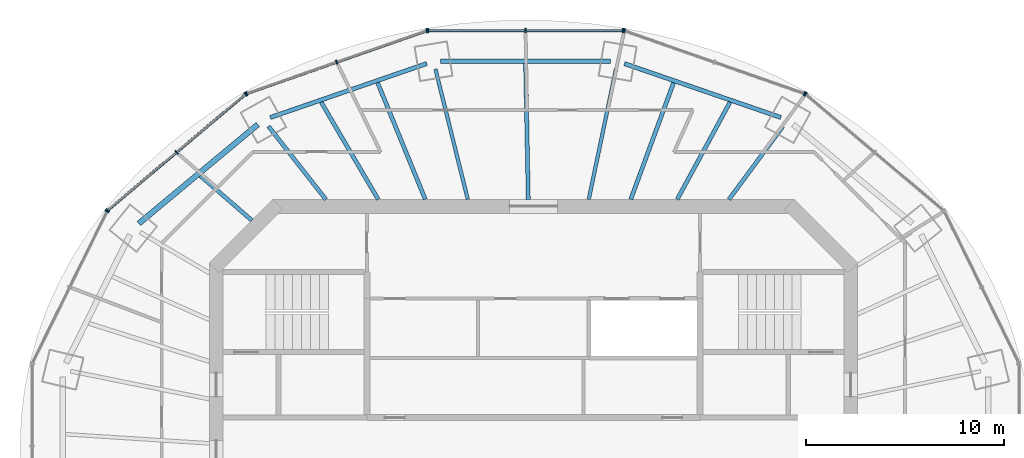
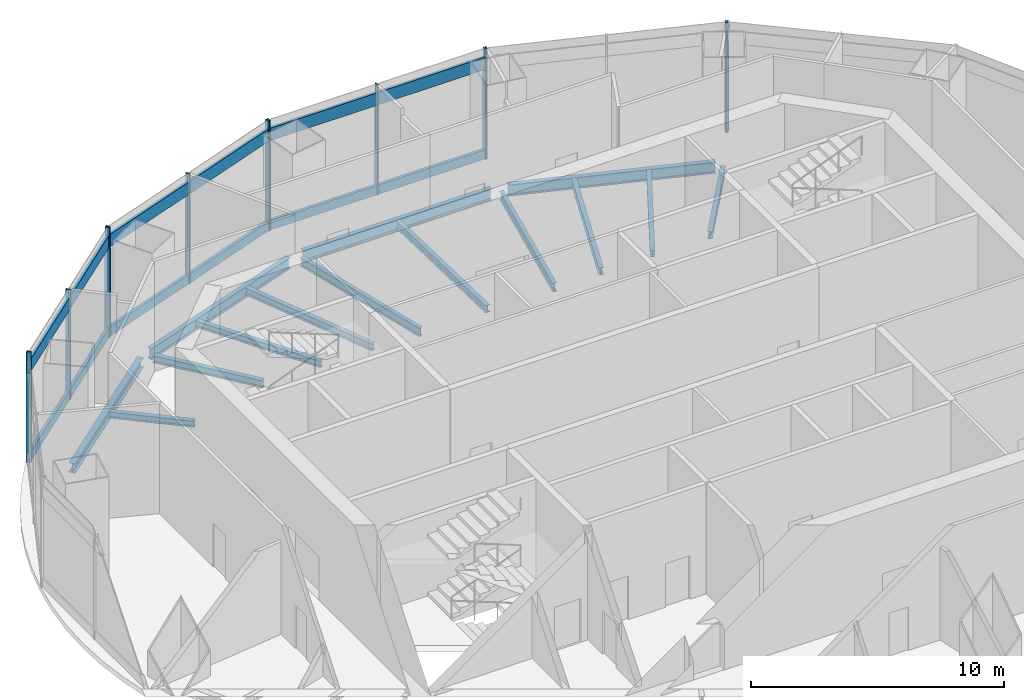
# One storey, part 5 of 13: 32 members, 14 beams, 12 elements without a shape of their own.
"""IFC4 building model written with IfcOpenShell, lengths in metres."""

from ifc_helpers import new_model, si_unit, direction, frame, origin, origin_2d, place, context, subcontext, project, spatial, rectangle, i_section, extrude, material, material_profile, profile_set, type_object, element, aggregate, save


model = new_model("IFC4")

# Units and contexts
model_context = context("Model", 3, precision=1e-05, world=origin(), true_north=direction((0.0, 1.0)))
body_context = subcontext(model_context, "Body", "Model", "MODEL_VIEW")
ifc_project = project(units=[si_unit("LENGTHUNIT", "METRE"), si_unit("AREAUNIT", "SQUARE_METRE"), si_unit("VOLUMEUNIT", "CUBIC_METRE"), si_unit("PLANEANGLEUNIT", "RADIAN"), si_unit("MASSUNIT", "GRAM", prefix="KILO")], contexts=[model_context])

# Site, building, storey
site_placement = place(None, origin())
site = spatial("IfcSite", under=ifc_project, at=site_placement, CompositionType="ELEMENT")
building_placement = place(site_placement, origin())
building = spatial("IfcBuilding", under=site, at=building_placement, Name="Marenthal Gate Tower", CompositionType="ELEMENT")
storey_placement = place(building_placement, frame((0.0, 0.0, 401.949951171875)))
storey = spatial("IfcBuildingStorey", under=building, at=storey_placement, Name="L91", CompositionType="ELEMENT", Elevation=401.949951171875)

# Curtain wall, member
ifc_material_1 = material(Name="Aluminium and glass", Category="aluminium")
curtain_wall_type_1 = type_object("IfcCurtainWallType", Name="Curtain wall crown clad", PredefinedType="NOTDEFINED", material=ifc_material_1)
curtain_wall_1_placement = place(storey_placement, origin())
curtain_wall_1 = element("IfcCurtainWall", 1, at=curtain_wall_1_placement, inside=storey, type_object=curtain_wall_type_1, Name="Curtain wall L91 bay 2 head band", PredefinedType="NOTDEFINED")
ifc_material_2 = material(Name="Aluminium", Category="aluminium")
ifc_material_profile_1 = material_profile(ifc_material_2, rectangle(XDim=0.199951171875, YDim=0.06005859375, at=origin_2d()), Name="60x200 aluminium mullion")
ifc_profile_set_1 = profile_set([ifc_material_profile_1], Name="Aluminium")
member_type_1 = type_object("IfcMemberType", Name="Mullion 60x200 crown clad", PredefinedType="MULLION", material=ifc_profile_set_1)
member_1_placement = place(storey_placement, frame((13.723388671875, 18.657470703125, 4.300048828125), z_axis=(0.0, 0.0, 1.0), x_axis=(-0.644265226944, -0.764802142616, 0.0)))
member_1 = element("IfcMember", 2, at=member_1_placement, type_object=member_type_1, Name="Mullion L91 bay 2.3", PredefinedType="MULLION", context=body_context, shape_type="SweptSolid", body=[
    extrude(rectangle(XDim=0.199951171875, YDim=0.06005859375, at=origin_2d()), origin(), (0.0, 0.0, 1.0), 1.0),
])
aggregate(curtain_wall_1, [member_1])

# Curtain wall, members
curtain_wall_2_placement = place(storey_placement, origin())
curtain_wall_2 = element("IfcCurtainWall", 3, at=curtain_wall_2_placement, inside=storey, type_object=curtain_wall_type_1, Name="Curtain wall L91 bay 3 head band", PredefinedType="NOTDEFINED")
member_2_placement = place(storey_placement, frame((13.672119140625, 18.686767578125, 4.300048828125), z_axis=(0.0, 0.0, 1.0), x_axis=(-0.329453888639, -0.944171666203, 0.0)))
member_2 = element("IfcMember", 4, at=member_2_placement, type_object=member_type_1, Name="Mullion L91 bay 3.1", PredefinedType="MULLION", context=body_context, shape_type="SweptSolid", body=[
    extrude(rectangle(XDim=0.199951171875, YDim=0.06005859375, at=origin_2d()), origin(), (0.0, 0.0, 1.0), 1.0),
])
member_3_placement = place(storey_placement, frame((4.57958984375, 21.859375, 4.300048828125), z_axis=(0.0, 0.0, 1.0), x_axis=(-0.329453888639, -0.944171666203, 0.0)))
member_3 = element("IfcMember", 5, at=member_3_placement, type_object=member_type_1, Name="Mullion L91 bay 3.3", PredefinedType="MULLION", context=body_context, shape_type="SweptSolid", body=[
    extrude(rectangle(XDim=0.199951171875, YDim=0.06005859375, at=origin_2d()), origin(), (0.0, 0.0, 1.0), 1.0),
])
aggregate(curtain_wall_2, [member_2, member_3])

curtain_wall_3_placement = place(storey_placement, origin())
curtain_wall_3 = element("IfcCurtainWall", 6, at=curtain_wall_3_placement, inside=storey, type_object=curtain_wall_type_1, Name="Curtain wall L91 bay 4 head band", PredefinedType="NOTDEFINED")
member_4_placement = place(storey_placement, frame((4.521484375, 21.869140625, 4.300048828125), z_axis=(0.0, 0.0, 1.0), x_axis=(0.0, -1.0, 0.0)))
member_4 = element("IfcMember", 7, at=member_4_placement, type_object=member_type_1, Name="Mullion L91 bay 4.1", PredefinedType="MULLION", context=body_context, shape_type="SweptSolid", body=[
    extrude(rectangle(XDim=0.199951171875, YDim=0.06005859375, at=origin_2d()), origin(), (0.0, 0.0, 1.0), 1.0),
])
member_5_placement = place(storey_placement, frame((-0.39990234375, 21.869140625, 4.300048828125), z_axis=(0.0, 0.0, 1.0), x_axis=(0.0, -1.0, 0.0)))
member_5 = element("IfcMember", 8, at=member_5_placement, type_object=member_type_1, Name="Mullion L91 bay 4.2", PredefinedType="MULLION", context=body_context, shape_type="SweptSolid", body=[
    extrude(rectangle(XDim=0.199951171875, YDim=0.06005859375, at=origin_2d()), origin(), (0.0, 0.0, 1.0), 1.0),
])
member_6_placement = place(storey_placement, frame((-5.3212890625, 21.869140625, 4.300048828125), z_axis=(0.0, 0.0, 1.0), x_axis=(0.0, -1.0, 0.0)))
member_6 = element("IfcMember", 9, at=member_6_placement, type_object=member_type_1, Name="Mullion L91 bay 4.3", PredefinedType="MULLION", context=body_context, shape_type="SweptSolid", body=[
    extrude(rectangle(XDim=0.199951171875, YDim=0.06005859375, at=origin_2d()), origin(), (0.0, 0.0, 1.0), 1.0),
])

curtain_wall_4_placement = place(storey_placement, origin())
curtain_wall_4 = element("IfcCurtainWall", 10, at=curtain_wall_4_placement, inside=storey, type_object=curtain_wall_type_1, Name="Curtain wall L91 bay 5 head band", PredefinedType="NOTDEFINED")
member_7_placement = place(storey_placement, frame((-5.379638671875, 21.859375, 4.300048828125), z_axis=(0.0, 0.0, 1.0), x_axis=(0.329453888639, -0.944171666203, 0.0)))
member_7 = element("IfcMember", 11, at=member_7_placement, type_object=member_type_1, Name="Mullion L91 bay 5.1", PredefinedType="MULLION", context=body_context, shape_type="SweptSolid", body=[
    extrude(rectangle(XDim=0.199951171875, YDim=0.06005859375, at=origin_2d()), origin(), (0.0, 0.0, 1.0), 1.0),
])
member_8_placement = place(storey_placement, frame((-9.926025390625, 20.27294921875, 4.300048828125), z_axis=(0.0, 0.0, 1.0), x_axis=(0.329453888639, -0.944171666203, 0.0)))
member_8 = element("IfcMember", 12, at=member_8_placement, type_object=member_type_1, Name="Mullion L91 bay 5.2", PredefinedType="MULLION", context=body_context, shape_type="SweptSolid", body=[
    extrude(rectangle(XDim=0.199951171875, YDim=0.06005859375, at=origin_2d()), origin(), (0.0, 0.0, 1.0), 1.0),
])
member_9_placement = place(storey_placement, frame((-14.47216796875, 18.686767578125, 4.300048828125), z_axis=(0.0, 0.0, 1.0), x_axis=(0.329453888639, -0.944171666203, 0.0)))
member_9 = element("IfcMember", 13, at=member_9_placement, type_object=member_type_1, Name="Mullion L91 bay 5.3", PredefinedType="MULLION", context=body_context, shape_type="SweptSolid", body=[
    extrude(rectangle(XDim=0.199951171875, YDim=0.06005859375, at=origin_2d()), origin(), (0.0, 0.0, 1.0), 1.0),
])

curtain_wall_5_placement = place(storey_placement, origin())
curtain_wall_5 = element("IfcCurtainWall", 14, at=curtain_wall_5_placement, inside=storey, type_object=curtain_wall_type_1, Name="Curtain wall L91 bay 6 head band", PredefinedType="NOTDEFINED")
member_10_placement = place(storey_placement, frame((-14.5234375, 18.657470703125, 4.300048828125), z_axis=(0.0, 0.0, 1.0), x_axis=(0.644265226944, -0.764802142616, 0.0)))
member_10 = element("IfcMember", 15, at=member_10_placement, type_object=member_type_1, Name="Mullion L91 bay 6.1", PredefinedType="MULLION", context=body_context, shape_type="SweptSolid", body=[
    extrude(rectangle(XDim=0.199951171875, YDim=0.06005859375, at=origin_2d()), origin(), (0.0, 0.0, 1.0), 1.0),
])
member_11_placement = place(storey_placement, frame((-18.001708984375, 15.7275390625, 4.300048828125), z_axis=(0.0, 0.0, 1.0), x_axis=(0.644265226944, -0.764802142616, 0.0)))
member_11 = element("IfcMember", 16, at=member_11_placement, type_object=member_type_1, Name="Mullion L91 bay 6.2", PredefinedType="MULLION", context=body_context, shape_type="SweptSolid", body=[
    extrude(rectangle(XDim=0.199951171875, YDim=0.06005859375, at=origin_2d()), origin(), (0.0, 0.0, 1.0), 1.0),
])
member_12_placement = place(storey_placement, frame((-21.479736328125, 12.79736328125, 4.300048828125), z_axis=(0.0, 0.0, 1.0), x_axis=(0.644265226944, -0.764802142616, 0.0)))
member_12 = element("IfcMember", 17, at=member_12_placement, type_object=member_type_1, Name="Mullion L91 bay 6.3", PredefinedType="MULLION", context=body_context, shape_type="SweptSolid", body=[
    extrude(rectangle(XDim=0.199951171875, YDim=0.06005859375, at=origin_2d()), origin(), (0.0, 0.0, 1.0), 1.0),
])

# Curtain wall, member
curtain_wall_6_placement = place(storey_placement, origin())
curtain_wall_6 = element("IfcCurtainWall", 18, at=curtain_wall_6_placement, inside=storey, type_object=curtain_wall_type_1, Name="Curtain wall L91 bay 7 head band", PredefinedType="NOTDEFINED")
member_13_placement = place(storey_placement, frame((-21.515869140625, 12.751220703125, 4.300048828125), z_axis=(0.0, 0.0, 1.0), x_axis=(0.897385793576, -0.441246798842, 0.0)))
member_13 = element("IfcMember", 19, at=member_13_placement, type_object=member_type_1, Name="Mullion L91 bay 7.1", PredefinedType="MULLION", context=body_context, shape_type="SweptSolid", body=[
    extrude(rectangle(XDim=0.199951171875, YDim=0.06005859375, at=origin_2d()), origin(), (0.0, 0.0, 1.0), 1.0),
])
aggregate(curtain_wall_6, [member_13])

ifc_material_3 = material(Name="Aluminium and glass", Category="aluminium")
curtain_wall_type_2 = type_object("IfcCurtainWallType", Name="Curtain wall observation", PredefinedType="NOTDEFINED", material=ifc_material_3)
curtain_wall_7_placement = place(storey_placement, origin())
curtain_wall_7 = element("IfcCurtainWall", 20, at=curtain_wall_7_placement, inside=storey, type_object=curtain_wall_type_2, Name="Curtain wall L91 bay 2", PredefinedType="NOTDEFINED")
ifc_material_4 = material(Name="Aluminium", Category="aluminium")
ifc_material_profile_2 = material_profile(ifc_material_4, rectangle(XDim=0.219970703125, YDim=0.070068359375, at=origin_2d()), Name="70x220 aluminium mullion")
ifc_profile_set_2 = profile_set([ifc_material_profile_2], Name="Aluminium")
member_type_2 = type_object("IfcMemberType", Name="Mullion 70x220 observation", PredefinedType="MULLION", material=ifc_profile_set_2)
member_14_placement = place(storey_placement, frame((13.723388671875, 18.657470703125, 0.0), z_axis=(0.0, 0.0, 1.0), x_axis=(-0.644265226944, -0.764802142616, 0.0)))
member_14 = element("IfcMember", 21, at=member_14_placement, type_object=member_type_2, Name="Mullion L91 bay 2.3", PredefinedType="MULLION", context=body_context, shape_type="SweptSolid", body=[
    extrude(rectangle(XDim=0.219970703125, YDim=0.070068359375, at=origin_2d()), origin(), (0.0, 0.0, 1.0), 4.300048828125),
])
aggregate(curtain_wall_7, [member_14])

# Curtain wall, members
curtain_wall_8_placement = place(storey_placement, origin())
curtain_wall_8 = element("IfcCurtainWall", 22, at=curtain_wall_8_placement, inside=storey, type_object=curtain_wall_type_2, Name="Curtain wall L91 bay 3", PredefinedType="NOTDEFINED")
member_15_placement = place(storey_placement, frame((13.672119140625, 18.686767578125, 0.0), z_axis=(0.0, 0.0, 1.0), x_axis=(-0.329453888639, -0.944171666203, 0.0)))
member_15 = element("IfcMember", 23, at=member_15_placement, type_object=member_type_2, Name="Mullion L91 bay 3.1", PredefinedType="MULLION", context=body_context, shape_type="SweptSolid", body=[
    extrude(rectangle(XDim=0.219970703125, YDim=0.070068359375, at=origin_2d()), origin(), (0.0, 0.0, 1.0), 4.300048828125),
])
member_16_placement = place(storey_placement, frame((4.57958984375, 21.859375, 0.0), z_axis=(0.0, 0.0, 1.0), x_axis=(-0.329453888639, -0.944171666203, 0.0)))
member_16 = element("IfcMember", 24, at=member_16_placement, type_object=member_type_2, Name="Mullion L91 bay 3.3", PredefinedType="MULLION", context=body_context, shape_type="SweptSolid", body=[
    extrude(rectangle(XDim=0.219970703125, YDim=0.070068359375, at=origin_2d()), origin(), (0.0, 0.0, 1.0), 4.300048828125),
])
aggregate(curtain_wall_8, [member_15, member_16])

curtain_wall_9_placement = place(storey_placement, origin())
curtain_wall_9 = element("IfcCurtainWall", 25, at=curtain_wall_9_placement, inside=storey, type_object=curtain_wall_type_2, Name="Curtain wall L91 bay 4", PredefinedType="NOTDEFINED")
member_17_placement = place(storey_placement, frame((4.521484375, 21.869140625, 0.0), z_axis=(0.0, 0.0, 1.0), x_axis=(0.0, -1.0, 0.0)))
member_17 = element("IfcMember", 26, at=member_17_placement, type_object=member_type_2, Name="Mullion L91 bay 4.1", PredefinedType="MULLION", context=body_context, shape_type="SweptSolid", body=[
    extrude(rectangle(XDim=0.219970703125, YDim=0.070068359375, at=origin_2d()), origin(), (0.0, 0.0, 1.0), 4.300048828125),
])
member_18_placement = place(storey_placement, frame((-0.39990234375, 21.869140625, 0.0), z_axis=(0.0, 0.0, 1.0), x_axis=(0.0, -1.0, 0.0)))
member_18 = element("IfcMember", 27, at=member_18_placement, type_object=member_type_2, Name="Mullion L91 bay 4.2", PredefinedType="MULLION", context=body_context, shape_type="SweptSolid", body=[
    extrude(rectangle(XDim=0.219970703125, YDim=0.070068359375, at=origin_2d()), origin(), (0.0, 0.0, 1.0), 4.300048828125),
])
member_19_placement = place(storey_placement, frame((-5.3212890625, 21.869140625, 0.0), z_axis=(0.0, 0.0, 1.0), x_axis=(0.0, -1.0, 0.0)))
member_19 = element("IfcMember", 28, at=member_19_placement, type_object=member_type_2, Name="Mullion L91 bay 4.3", PredefinedType="MULLION", context=body_context, shape_type="SweptSolid", body=[
    extrude(rectangle(XDim=0.219970703125, YDim=0.070068359375, at=origin_2d()), origin(), (0.0, 0.0, 1.0), 4.300048828125),
])

curtain_wall_10_placement = place(storey_placement, origin())
curtain_wall_10 = element("IfcCurtainWall", 29, at=curtain_wall_10_placement, inside=storey, type_object=curtain_wall_type_2, Name="Curtain wall L91 bay 5", PredefinedType="NOTDEFINED")
member_20_placement = place(storey_placement, frame((-5.379638671875, 21.859375, 0.0), z_axis=(0.0, 0.0, 1.0), x_axis=(0.329453888639, -0.944171666203, 0.0)))
member_20 = element("IfcMember", 30, at=member_20_placement, type_object=member_type_2, Name="Mullion L91 bay 5.1", PredefinedType="MULLION", context=body_context, shape_type="SweptSolid", body=[
    extrude(rectangle(XDim=0.219970703125, YDim=0.070068359375, at=origin_2d()), origin(), (0.0, 0.0, 1.0), 4.300048828125),
])
member_21_placement = place(storey_placement, frame((-9.926025390625, 20.27294921875, 0.0), z_axis=(0.0, 0.0, 1.0), x_axis=(0.329453888639, -0.944171666203, 0.0)))
member_21 = element("IfcMember", 31, at=member_21_placement, type_object=member_type_2, Name="Mullion L91 bay 5.2", PredefinedType="MULLION", context=body_context, shape_type="SweptSolid", body=[
    extrude(rectangle(XDim=0.219970703125, YDim=0.070068359375, at=origin_2d()), origin(), (0.0, 0.0, 1.0), 4.300048828125),
])
member_22_placement = place(storey_placement, frame((-14.47216796875, 18.686767578125, 0.0), z_axis=(0.0, 0.0, 1.0), x_axis=(0.329453888639, -0.944171666203, 0.0)))
member_22 = element("IfcMember", 32, at=member_22_placement, type_object=member_type_2, Name="Mullion L91 bay 5.3", PredefinedType="MULLION", context=body_context, shape_type="SweptSolid", body=[
    extrude(rectangle(XDim=0.219970703125, YDim=0.070068359375, at=origin_2d()), origin(), (0.0, 0.0, 1.0), 4.300048828125),
])

curtain_wall_11_placement = place(storey_placement, origin())
curtain_wall_11 = element("IfcCurtainWall", 33, at=curtain_wall_11_placement, inside=storey, type_object=curtain_wall_type_2, Name="Curtain wall L91 bay 6", PredefinedType="NOTDEFINED")
member_23_placement = place(storey_placement, frame((-14.5234375, 18.657470703125, 0.0), z_axis=(0.0, 0.0, 1.0), x_axis=(0.644265226944, -0.764802142616, 0.0)))
member_23 = element("IfcMember", 34, at=member_23_placement, type_object=member_type_2, Name="Mullion L91 bay 6.1", PredefinedType="MULLION", context=body_context, shape_type="SweptSolid", body=[
    extrude(rectangle(XDim=0.219970703125, YDim=0.070068359375, at=origin_2d()), origin(), (0.0, 0.0, 1.0), 4.300048828125),
])
member_24_placement = place(storey_placement, frame((-18.001708984375, 15.7275390625, 0.0), z_axis=(0.0, 0.0, 1.0), x_axis=(0.644265226944, -0.764802142616, 0.0)))
member_24 = element("IfcMember", 35, at=member_24_placement, type_object=member_type_2, Name="Mullion L91 bay 6.2", PredefinedType="MULLION", context=body_context, shape_type="SweptSolid", body=[
    extrude(rectangle(XDim=0.219970703125, YDim=0.070068359375, at=origin_2d()), origin(), (0.0, 0.0, 1.0), 4.300048828125),
])
member_25_placement = place(storey_placement, frame((-21.479736328125, 12.79736328125, 0.0), z_axis=(0.0, 0.0, 1.0), x_axis=(0.644265226944, -0.764802142616, 0.0)))
member_25 = element("IfcMember", 36, at=member_25_placement, type_object=member_type_2, Name="Mullion L91 bay 6.3", PredefinedType="MULLION", context=body_context, shape_type="SweptSolid", body=[
    extrude(rectangle(XDim=0.219970703125, YDim=0.070068359375, at=origin_2d()), origin(), (0.0, 0.0, 1.0), 4.300048828125),
])

# Curtain wall, member
curtain_wall_12_placement = place(storey_placement, origin())
curtain_wall_12 = element("IfcCurtainWall", 37, at=curtain_wall_12_placement, inside=storey, type_object=curtain_wall_type_2, Name="Curtain wall L91 bay 7", PredefinedType="NOTDEFINED")
member_26_placement = place(storey_placement, frame((-21.515869140625, 12.751220703125, 0.0), z_axis=(0.0, 0.0, 1.0), x_axis=(0.897385793576, -0.441246798842, 0.0)))
member_26 = element("IfcMember", 38, at=member_26_placement, type_object=member_type_2, Name="Mullion L91 bay 7.1", PredefinedType="MULLION", context=body_context, shape_type="SweptSolid", body=[
    extrude(rectangle(XDim=0.219970703125, YDim=0.070068359375, at=origin_2d()), origin(), (0.0, 0.0, 1.0), 4.300048828125),
])
aggregate(curtain_wall_12, [member_26])

# Member
ifc_material_5 = material(Name="Aluminium", Category="aluminium")
ifc_material_profile_3 = material_profile(ifc_material_5, rectangle(XDim=0.1201171875, YDim=0.60009765625, at=origin_2d()), Name="120x600 aluminium transom")
ifc_profile_set_3 = profile_set([ifc_material_profile_3], Name="Aluminium")
member_type_3 = type_object("IfcMemberType", Name="Transom 120x600 crown clad", PredefinedType="USERDEFINED", material=ifc_profile_set_3)
member_27_placement = place(storey_placement, frame((4.491455078125, 21.869140625, 4.60009765625), z_axis=(-1.0, 0.0, 0.0), x_axis=(0.0, -1.0, 0.0)))
member_27 = element("IfcMember", 39, at=member_27_placement, type_object=member_type_3, Name="Transom L91 bay 4", ObjectType="TRANSOM", PredefinedType="USERDEFINED", context=body_context, shape_type="SweptSolid", body=[
    extrude(rectangle(XDim=0.1201171875, YDim=0.60009765625, at=origin_2d()), origin(), (0.0, 0.0, 1.0), 9.782958984375),
])

aggregate(curtain_wall_3, [member_4, member_5, member_6, member_27])

member_28_placement = place(storey_placement, frame((-5.407958984375, 21.849365234375, 4.60009765625), z_axis=(-0.944174901713, -0.329444615945, 0.0), x_axis=(0.329444615945, -0.944174901713, 0.0)))
member_28 = element("IfcMember", 40, at=member_28_placement, type_object=member_type_3, Name="Transom L91 bay 5", ObjectType="TRANSOM", PredefinedType="USERDEFINED", context=body_context, shape_type="SweptSolid", body=[
    extrude(rectangle(XDim=0.1201171875, YDim=0.60009765625, at=origin_2d()), origin(), (0.0, 0.0, 1.0), 9.570068359375),
])

aggregate(curtain_wall_4, [member_7, member_8, member_9, member_28])

member_29_placement = place(storey_placement, frame((-14.54638671875, 18.63818359375, 4.60009765625), z_axis=(-0.764788567143, -0.644281341937, 0.0), x_axis=(0.644281341937, -0.764788567143, 0.0)))
member_29 = element("IfcMember", 41, at=member_29_placement, type_object=member_type_3, Name="Transom L91 bay 6", ObjectType="TRANSOM", PredefinedType="USERDEFINED", context=body_context, shape_type="SweptSolid", body=[
    extrude(rectangle(XDim=0.1201171875, YDim=0.60009765625, at=origin_2d()), origin(), (0.0, 0.0, 1.0), 9.03564453125),
])

aggregate(curtain_wall_5, [member_10, member_11, member_12, member_29])

ifc_material_6 = material(Name="Aluminium", Category="aluminium")
ifc_material_profile_4 = material_profile(ifc_material_6, rectangle(XDim=0.139892578125, YDim=0.449951171875, at=origin_2d()), Name="140x450 aluminium transom")
ifc_profile_set_4 = profile_set([ifc_material_profile_4], Name="Aluminium")
member_type_4 = type_object("IfcMemberType", Name="Transom 140x450 observation", PredefinedType="USERDEFINED", material=ifc_profile_set_4)
member_30_placement = place(storey_placement, frame((4.486328125, 21.869140625, 0.22509765625), z_axis=(-1.0, 0.0, 0.0), x_axis=(0.0, -1.0, 0.0)))
member_30 = element("IfcMember", 42, at=member_30_placement, type_object=member_type_4, Name="Transom L91 bay 4", ObjectType="TRANSOM", PredefinedType="USERDEFINED", context=body_context, shape_type="SweptSolid", body=[
    extrude(rectangle(XDim=0.139892578125, YDim=0.449951171875, at=origin_2d()), origin(), (0.0, 0.0, 1.0), 9.772705078125),
])

aggregate(curtain_wall_9, [member_17, member_18, member_19, member_30])

member_31_placement = place(storey_placement, frame((-5.412841796875, 21.847900390625, 0.22509765625), z_axis=(-0.944167299887, -0.329466401662, 0.0), x_axis=(0.329466401662, -0.944167299887, 0.0)))
member_31 = element("IfcMember", 43, at=member_31_placement, type_object=member_type_4, Name="Transom L91 bay 5", ObjectType="TRANSOM", PredefinedType="USERDEFINED", context=body_context, shape_type="SweptSolid", body=[
    extrude(rectangle(XDim=0.139892578125, YDim=0.449951171875, at=origin_2d()), origin(), (0.0, 0.0, 1.0), 9.559814453125),
])

aggregate(curtain_wall_10, [member_20, member_21, member_22, member_31])

member_32_placement = place(storey_placement, frame((-14.550048828125, 18.635009765625, 0.22509765625), z_axis=(-0.764800357968, -0.64426734548, 0.0), x_axis=(0.64426734548, -0.764800357968, 0.0)))
member_32 = element("IfcMember", 44, at=member_32_placement, type_object=member_type_4, Name="Transom L91 bay 6", ObjectType="TRANSOM", PredefinedType="USERDEFINED", context=body_context, shape_type="SweptSolid", body=[
    extrude(rectangle(XDim=0.139892578125, YDim=0.449951171875, at=origin_2d()), origin(), (0.0, 0.0, 1.0), 9.025634765625),
])

aggregate(curtain_wall_11, [member_23, member_24, member_25, member_32])

# Beams
ifc_material_7 = material(Name="Steel S355", Category="steel")
ifc_material_profile_5 = material_profile(ifc_material_7, i_section(OverallWidth=0.205078125, OverallDepth=0.31005859375, WebThickness=0.009521484375, FlangeThickness=0.016357421875, FilletRadius=0.0126953125, at=origin_2d()), Name="W310X74")
ifc_profile_set_5 = profile_set([ifc_material_profile_5], Name="Steel S355")
beam_type_1 = type_object("IfcBeamType", Name="W310X74 beam", PredefinedType="BEAM", material=ifc_profile_set_5)
beam_1_placement = place(storey_placement, frame((9.91162109375, 18.254150390625, -0.405029296875), z_axis=(-0.477180684448, -0.878805208445, 0.0), x_axis=(0.878805208445, -0.477180684448, 0.0)))
element("IfcBeam", 45, at=beam_1_placement, inside=storey, type_object=beam_type_1, Name="BM-L91-19", PredefinedType="BEAM", context=body_context, shape_type="SweptSolid", body=[
    extrude(i_section(OverallWidth=0.205078125, OverallDepth=0.31005859375, WebThickness=0.009521484375, FlangeThickness=0.016357421875, FilletRadius=0.0126953125, at=origin_2d()), origin(), (0.0, 0.0, 1.0), 5.580322265625),
])
beam_2_placement = place(storey_placement, frame((-10.7080078125, 18.25537109375, -0.405029296875), z_axis=(0.505940938232, -0.862568123119, 0.0), x_axis=(0.862568123119, 0.505940938232, 0.0)))
element("IfcBeam", 46, at=beam_2_placement, inside=storey, type_object=beam_type_1, Name="BM-L91-23", PredefinedType="BEAM", context=body_context, shape_type="SweptSolid", body=[
    extrude(i_section(OverallWidth=0.205078125, OverallDepth=0.31005859375, WebThickness=0.009521484375, FlangeThickness=0.016357421875, FilletRadius=0.0126953125, at=origin_2d()), origin(), (0.0, 0.0, 1.0), 5.686767578125),
])
beam_3_placement = place(storey_placement, frame((-16.798828125, 14.539306640625, -0.405029296875), z_axis=(0.756115904848, -0.654437726935, 0.0), x_axis=(0.654437726935, 0.756115904848, 0.0)))
element("IfcBeam", 47, at=beam_3_placement, inside=storey, type_object=beam_type_1, Name="BM-L91-24", PredefinedType="BEAM", context=body_context, shape_type="SweptSolid", body=[
    extrude(i_section(OverallWidth=0.205078125, OverallDepth=0.31005859375, WebThickness=0.009521484375, FlangeThickness=0.016357421875, FilletRadius=0.0126953125, at=origin_2d()), origin(), (0.0, 0.0, 1.0), 3.43359375),
])
ifc_material_8 = material(Name="Steel S355", Category="steel")
ifc_material_profile_6 = material_profile(ifc_material_8, i_section(OverallWidth=0.205078125, OverallDepth=0.35302734375, WebThickness=0.009521484375, FlangeThickness=0.016845703125, FilletRadius=0.014892578125, at=origin_2d()), Name="W360X79")
ifc_profile_set_6 = profile_set([ifc_material_profile_6], Name="Steel S355")
beam_type_2 = type_object("IfcBeamType", Name="W360X79 beam", PredefinedType="BEAM", material=ifc_profile_set_6)
beam_4_placement = place(storey_placement, frame((12.58056640625, 17.035400390625, -0.426513671875), z_axis=(-0.594074859314, -0.804409759719, 0.0), x_axis=(0.804409759719, -0.594074859314, 0.0)))
element("IfcBeam", 48, at=beam_4_placement, inside=storey, type_object=beam_type_2, Name="BM-L91-03", PredefinedType="BEAM", context=body_context, shape_type="SweptSolid", body=[
    extrude(i_section(OverallWidth=0.205078125, OverallDepth=0.35302734375, WebThickness=0.009521484375, FlangeThickness=0.016845703125, FilletRadius=0.014892578125, at=origin_2d()), origin(), (0.0, 0.0, 1.0), 4.581298828125),
])
beam_5_placement = place(storey_placement, frame((-13.36865234375, 17.03955078125, -0.426513671875), z_axis=(0.617251167198, -0.786766163858, 0.0), x_axis=(0.786766163858, 0.617251167198, 0.0)))
element("IfcBeam", 49, at=beam_5_placement, inside=storey, type_object=beam_type_2, Name="BM-L91-06", PredefinedType="BEAM", context=body_context, shape_type="SweptSolid", body=[
    extrude(i_section(OverallWidth=0.205078125, OverallDepth=0.35302734375, WebThickness=0.009521484375, FlangeThickness=0.016845703125, FilletRadius=0.014892578125, at=origin_2d()), origin(), (0.0, 0.0, 1.0), 4.689453125),
])
beam_6_placement = place(storey_placement, frame((7.06640625, 19.234619140625, -0.426513671875), z_axis=(-0.344846173648, -0.938659212132, 0.0), x_axis=(0.938659212132, -0.344846173648, 0.0)))
element("IfcBeam", 50, at=beam_6_placement, inside=storey, type_object=beam_type_2, Name="BM-L91-20", PredefinedType="BEAM", context=body_context, shape_type="SweptSolid", body=[
    extrude(i_section(OverallWidth=0.205078125, OverallDepth=0.35302734375, WebThickness=0.009521484375, FlangeThickness=0.016845703125, FilletRadius=0.014892578125, at=origin_2d()), origin(), (0.0, 0.0, 1.0), 6.26904296875),
])
beam_7_placement = place(storey_placement, frame((-0.39794921875, 20.21337890625, -0.426513671875), z_axis=(0.019703061156, -0.999805875848, 0.0), x_axis=(0.999805875848, 0.019703061156, 0.0)))
element("IfcBeam", 51, at=beam_7_placement, inside=storey, type_object=beam_type_2, Name="BM-L91-21", PredefinedType="BEAM", context=body_context, shape_type="SweptSolid", body=[
    extrude(i_section(OverallWidth=0.205078125, OverallDepth=0.35302734375, WebThickness=0.009521484375, FlangeThickness=0.016845703125, FilletRadius=0.014892578125, at=origin_2d()), origin(), (0.0, 0.0, 1.0), 6.864501953125),
])
beam_8_placement = place(storey_placement, frame((-7.86279296875, 19.235595703125, -0.426513671875), z_axis=(0.378404082183, -0.92564050829, 0.0), x_axis=(0.92564050829, 0.378404082183, 0.0)))
element("IfcBeam", 52, at=beam_8_placement, inside=storey, type_object=beam_type_2, Name="BM-L91-22", PredefinedType="BEAM", context=body_context, shape_type="SweptSolid", body=[
    extrude(i_section(OverallWidth=0.205078125, OverallDepth=0.35302734375, WebThickness=0.009521484375, FlangeThickness=0.016845703125, FilletRadius=0.014892578125, at=origin_2d()), origin(), (0.0, 0.0, 1.0), 6.3583984375),
])
ifc_material_9 = material(Name="Steel S355", Category="steel")
ifc_material_profile_7 = material_profile(ifc_material_9, i_section(OverallWidth=0.180908203125, OverallDepth=0.4169921875, WebThickness=0.010986328125, FlangeThickness=0.018310546875, FilletRadius=0.01025390625, at=origin_2d()), Name="W410X85")
ifc_profile_set_7 = profile_set([ifc_material_profile_7], Name="Steel S355")
beam_type_3 = type_object("IfcBeamType", Name="W410X85 beam", PredefinedType="BEAM", material=ifc_profile_set_7)
beam_9_placement = place(storey_placement, frame((4.1611328125, 19.927001953125, -0.45849609375), z_axis=(-0.204431628337, -0.978880845321, 0.0), x_axis=(0.978880845321, -0.204431628337, 0.0)))
element("IfcBeam", 53, at=beam_9_placement, inside=storey, type_object=beam_type_3, Name="BM-L91-04", PredefinedType="BEAM", context=body_context, shape_type="SweptSolid", body=[
    extrude(i_section(OverallWidth=0.180908203125, OverallDepth=0.4169921875, WebThickness=0.010986328125, FlangeThickness=0.018310546875, FilletRadius=0.01025390625, at=origin_2d()), origin(), (0.0, 0.0, 1.0), 6.71875),
])
beam_10_placement = place(storey_placement, frame((-4.946044921875, 19.928466796875, -0.45849609375), z_axis=(0.240899563447, -0.9705500504, 0.0), x_axis=(0.9705500504, 0.240899563447, 0.0)))
element("IfcBeam", 54, at=beam_10_placement, inside=storey, type_object=beam_type_3, Name="BM-L91-05", PredefinedType="BEAM", context=body_context, shape_type="SweptSolid", body=[
    extrude(i_section(OverallWidth=0.180908203125, OverallDepth=0.4169921875, WebThickness=0.010986328125, FlangeThickness=0.018310546875, FilletRadius=0.01025390625, at=origin_2d()), origin(), (0.0, 0.0, 1.0), 6.778076171875),
])
ifc_material_10 = material(Name="Steel S355", Category="steel")
ifc_material_profile_8 = material_profile(ifc_material_10, i_section(OverallWidth=0.279052734375, OverallDepth=0.4619140625, WebThickness=0.0107421875, FlangeThickness=0.017333984375, FilletRadius=0.010009765625, at=origin_2d()), Name="W460X113")
ifc_profile_set_8 = profile_set([ifc_material_profile_8], Name="Steel S355")
beam_type_4 = type_object("IfcBeamType", Name="W460X113 beam", PredefinedType="BEAM", material=ifc_profile_set_8)
beam_11_placement = place(storey_placement, frame((-13.9033203125, 17.129638671875, -0.48095703125), z_axis=(-0.76874123216, -0.63955994088, 0.0), x_axis=(0.63955994088, -0.76874123216, 0.0)))
element("IfcBeam", 55, at=beam_11_placement, inside=storey, type_object=beam_type_4, Name="BM-L91-43", PredefinedType="BEAM", context=body_context, shape_type="SweptSolid", body=[
    extrude(i_section(OverallWidth=0.279052734375, OverallDepth=0.4619140625, WebThickness=0.0107421875, FlangeThickness=0.017333984375, FilletRadius=0.010009765625, at=origin_2d()), origin(), (0.0, 0.0, 1.0), 7.80908203125),
])
ifc_material_11 = material(Name="Steel S355", Category="steel")
ifc_material_profile_9 = material_profile(ifc_material_11, i_section(OverallWidth=0.2119140625, OverallDepth=0.5439453125, WebThickness=0.01318359375, FlangeThickness=0.021240234375, FilletRadius=0.0126953125, at=origin_2d()), Name="W530X123")
ifc_profile_set_9 = profile_set([ifc_material_profile_9], Name="Steel S355")
beam_type_5 = type_object("IfcBeamType", Name="W530X123 beam", PredefinedType="BEAM", material=ifc_profile_set_9)
beam_12_placement = place(storey_placement, frame((12.47900390625, 17.4814453125, -0.52197265625), z_axis=(-0.945444742422, 0.325782502639, 0.0), x_axis=(-0.325782502639, -0.945444742422, 0.0)))
element("IfcBeam", 56, at=beam_12_placement, inside=storey, type_object=beam_type_5, Name="BM-L91-40", PredefinedType="BEAM", context=body_context, shape_type="SweptSolid", body=[
    extrude(i_section(OverallWidth=0.2119140625, OverallDepth=0.5439453125, WebThickness=0.01318359375, FlangeThickness=0.021240234375, FilletRadius=0.0126953125, at=origin_2d()), origin(), (0.0, 0.0, 1.0), 8.34912109375),
])
beam_13_placement = place(storey_placement, frame((3.881591796875, 20.319580078125, -0.52197265625), z_axis=(-1.0, 0.0, 0.0), x_axis=(0.0, -1.0, 0.0)))
element("IfcBeam", 57, at=beam_13_placement, inside=storey, type_object=beam_type_5, Name="BM-L91-41", PredefinedType="BEAM", context=body_context, shape_type="SweptSolid", body=[
    extrude(i_section(OverallWidth=0.2119140625, OverallDepth=0.5439453125, WebThickness=0.01318359375, FlangeThickness=0.021240234375, FilletRadius=0.0126953125, at=origin_2d()), origin(), (0.0, 0.0, 1.0), 8.56298828125),
])
beam_14_placement = place(storey_placement, frame((-5.385498046875, 20.201416015625, -0.52197265625), z_axis=(-0.945444742422, -0.325782502639, 0.0), x_axis=(0.325782502639, -0.945444742422, 0.0)))
element("IfcBeam", 58, at=beam_14_placement, inside=storey, type_object=beam_type_5, Name="BM-L91-42", PredefinedType="BEAM", context=body_context, shape_type="SweptSolid", body=[
    extrude(i_section(OverallWidth=0.2119140625, OverallDepth=0.5439453125, WebThickness=0.01318359375, FlangeThickness=0.021240234375, FilletRadius=0.0126953125, at=origin_2d()), origin(), (0.0, 0.0, 1.0), 8.34912109375),
])

save(model, "model.ifc")
